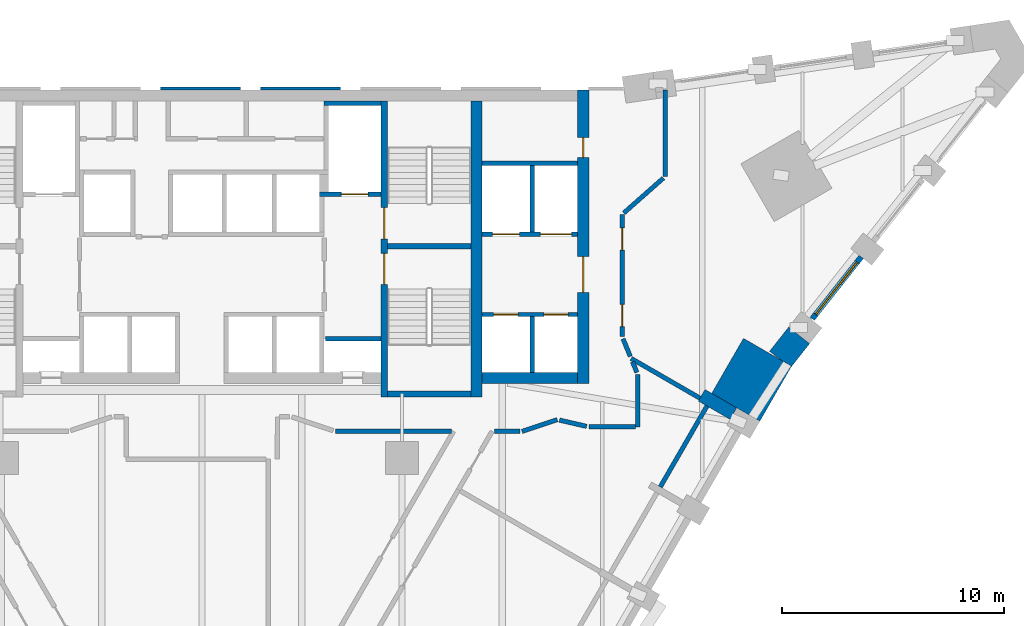
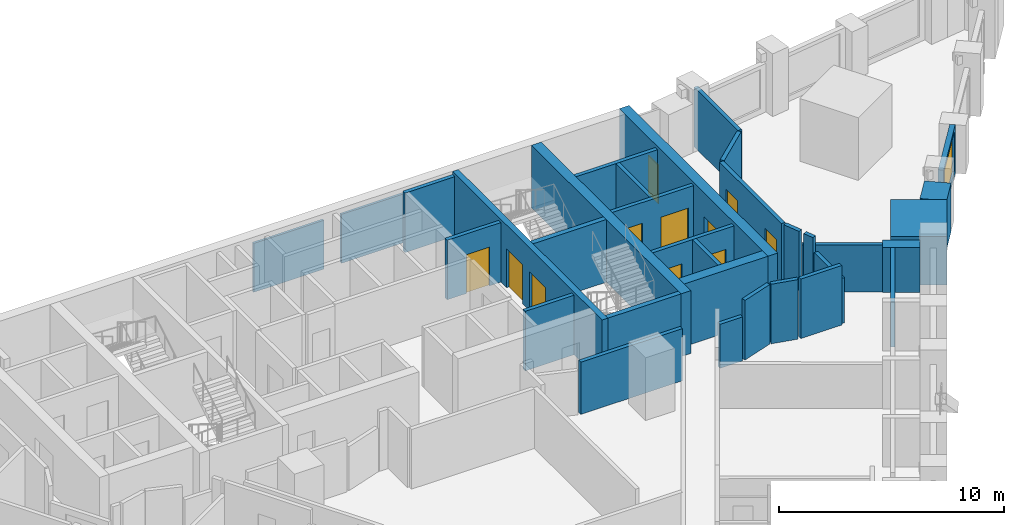
# One storey, part 8 of 11: 33 walls, 11 doors, 1 window, 12 openings.
"""IFC4 building model written with IfcOpenShell, lengths in metres."""

from ifc_helpers import new_model, si_unit, direction, frame, frame_2d, origin, place, context, subcontext, project, spatial, polyline, rectangle, outline, extrude, material, layer, layer_set, type_object, element, fill, save


model = new_model("IFC4")

# Units and contexts
model_context = context("Model", 3, precision=1e-05, world=origin(), true_north=direction((0.0, 1.0)))
body_context = subcontext(model_context, "Body", "Model", "MODEL_VIEW")
ifc_project = project(units=[si_unit("LENGTHUNIT", "METRE"), si_unit("AREAUNIT", "SQUARE_METRE"), si_unit("VOLUMEUNIT", "CUBIC_METRE"), si_unit("PLANEANGLEUNIT", "RADIAN"), si_unit("MASSUNIT", "GRAM", prefix="KILO")], contexts=[model_context])

# Site, building, storey
site_placement = place(None, origin())
site = spatial("IfcSite", under=ifc_project, at=site_placement, CompositionType="ELEMENT")
building_placement = place(site_placement, origin())
building = spatial("IfcBuilding", under=site, at=building_placement, Name="Calabash Gate Tower", CompositionType="ELEMENT")
storey_placement = place(building_placement, frame((0.0, 0.0, 98.60009765625)))
storey = spatial("IfcBuildingStorey", under=building, at=storey_placement, Name="L21", CompositionType="ELEMENT", Elevation=98.60009765625)

# Walls
ifc_material_1 = material(Name="Terracotta brick masonry, exposed face", Category="masonry")
ifc_layer_1 = layer(ifc_material_1, 2.5)
ifc_layer_set_1 = layer_set([ifc_layer_1], Name="Brick corner mass wall 2500")
wall_type_1 = type_object("IfcWallType", Name="Brick corner mass wall 2500", PredefinedType="SOLIDWALL", material=ifc_layer_set_1)
wall_1_placement = place(storey_placement, origin())
element("IfcWall", 1, at=wall_1_placement, inside=storey, type_object=wall_type_1, Name="Brick corner pier S05 2", PredefinedType="SOLIDWALL", context=body_context, shape_type="SweptSolid", body=[
    extrude(outline(polyline([(22.927001953125, 5.405517578125), (25.092041015625, 4.155517578125), (26.51953125, 6.628173828125), (24.3544921875, 7.878173828125), (22.927001953125, 5.405517578125)])), origin(), (0.0, 0.0, 1.0), 2.6298828125),
])
ifc_material_2 = material(Name="Terracotta brick masonry, exposed face", Category="masonry")
ifc_layer_2 = layer(ifc_material_2, 1.199951171875)
ifc_layer_set_2 = layer_set([ifc_layer_2], Name="Brick end wall 1200")
wall_type_2 = type_object("IfcWallType", Name="Brick end wall 1200", PredefinedType="SOLIDWALL", material=ifc_layer_set_2)
wall_2_placement = place(storey_placement, origin())
element("IfcWall", 2, at=wall_2_placement, inside=storey, type_object=wall_type_2, Name="Brick end wall S05 1", PredefinedType="SOLIDWALL", context=body_context, shape_type="SweptSolid", body=[
    extrude(outline(polyline([(26.386474609375, 8.38427734375), (25.529296875, 7.30029296875), (26.0, 6.92822265625), (26.51953125, 6.628173828125), (26.497802734375, 6.59033203125), (27.32763671875, 7.639892578125), (26.386474609375, 8.38427734375)])), origin(), (0.0, 0.0, 1.0), 2.6298828125),
])
ifc_material_3 = material(Name="Terracotta brick masonry, exposed face", Category="masonry")
ifc_layer_3 = layer(ifc_material_3, 0.300048828125)
ifc_layer_set_3 = layer_set([ifc_layer_3], Name="Brick loggia cheek wall 300")
wall_type_3 = type_object("IfcWallType", Name="Brick loggia cheek wall 300", PredefinedType="SOLIDWALL", material=ifc_layer_set_3)
wall_3_placement = place(storey_placement, frame((22.473876953125, 5.32080078125, 0.0), z_axis=(0.0, 0.0, 1.0), x_axis=(0.866040211805, -0.499974350878, 0.0)))
element("IfcWall", 3, at=wall_3_placement, inside=storey, type_object=wall_type_3, Name="Loggia cheek S05 SE2.8", PredefinedType="SOLIDWALL", context=body_context, shape_type="SweptSolid", body=[
    extrude(rectangle(XDim=1.64990234375, YDim=0.60009765625, at=frame_2d((0.824951171875, 0.0))), origin(), (0.0, 0.0, 1.0), 2.449951171875),
])
ifc_material_4 = material(Name="Concrete C80/95", Category="concrete")
ifc_layer_4 = layer(ifc_material_4, 0.25)
ifc_layer_set_4 = layer_set([ifc_layer_4], Name="Core wall 250 Concrete C80/95")
wall_type_4 = type_object("IfcWallType", Name="Core wall 250 Concrete C80/95", PredefinedType="SHEAR", material=ifc_layer_set_4)
for number, where, z_axis, x_axis, name in (
    (4, (8.35009765625, 12.027587890625, 0.0), (0.0, 0.0, 1.0), (1.0, 0.0, 0.0), "Core wall Z2-MIDE L21"),
    (5, (8.35009765625, 5.377685546875, 0.0), (0.0, 0.0, 1.0), (1.0, 0.0, 0.0), "Core wall Z2-SSE L21"),
):
    element("IfcWall", number, at=place(storey_placement, frame(where, z_axis=z_axis, x_axis=x_axis)), inside=storey, type_object=wall_type_4, Name=name, PredefinedType="SHEAR", context=body_context, shape_type="SweptSolid", body=[
        extrude(rectangle(XDim=3.75, YDim=0.25, at=frame_2d((1.875, 0.0))), origin(), (0.0, 0.0, 1.0), 3.39990234375),
    ])

# Wall, openings, doors
ifc_material_5 = material(Name="Concrete C80/95", Category="concrete")
ifc_layer_5 = layer(ifc_material_5, 0.300048828125)
ifc_layer_set_5 = layer_set([ifc_layer_5], Name="Core wall 300 Concrete C80/95")
wall_type_5 = type_object("IfcWallType", Name="Core wall 300 Concrete C80/95", PredefinedType="SHEAR", material=ifc_layer_set_5)
wall_4_placement = place(storey_placement, frame((8.199951171875, 5.252685546875, 0.0), z_axis=(0.0, 0.0, 1.0), x_axis=(0.0, 1.0, 0.0)))
wall_4 = element("IfcWall", 6, at=wall_4_placement, inside=storey, type_object=wall_type_5, Name="Core wall Z2-PARTE L21", PredefinedType="SHEAR", context=body_context, shape_type="SweptSolid", body=[
    extrude(rectangle(XDim=13.2998046875, YDim=0.300048828125, at=frame_2d((6.64990234375, 0.0))), origin(), (0.0, 0.0, 1.0), 3.39990234375),
])
opening_1_placement = place(wall_4_placement, frame((7.10009765625, 0.0, 0.0)))
opening_1 = element("IfcOpeningElement", 7, at=opening_1_placement, cuts=wall_4, Name="Opening H5-016", PredefinedType="OPENING", context=body_context, shape_type="SweptSolid", body=[
    extrude(rectangle(XDim=1.39990234375, YDim=2.10009765625, at=frame_2d((0.699951171875, 1.050048828125))), frame((0.0, 0.159912109375, 0.0), z_axis=(0.0, -1.0, 0.0), x_axis=(1.0, 0.0, 0.0)), (0.0, 0.0, 1.0), 0.320068359375),
])
opening_2_placement = place(wall_4_placement, frame((5.050048828125, 0.0, 0.0)))
opening_2 = element("IfcOpeningElement", 8, at=opening_2_placement, cuts=wall_4, Name="Opening H5-017", PredefinedType="OPENING", context=body_context, shape_type="SweptSolid", body=[
    extrude(rectangle(XDim=1.39990234375, YDim=2.10009765625, at=frame_2d((0.699951171875, 1.050048828125))), frame((0.0, 0.159912109375, 0.0), z_axis=(0.0, -1.0, 0.0), x_axis=(1.0, 0.0, 0.0)), (0.0, 0.0, 1.0), 0.320068359375),
])
ifc_material_6 = material(Name="Steel fire door set with fire-resisting glazing", Category="steel")
door_type_1 = type_object("IfcDoorType", Name="Fire door D05 1400x2100 FD90", OperationType="NOTDEFINED", PredefinedType="DOOR", material=ifc_material_6)
door_1_placement = place(opening_1_placement, origin())
door_1 = element("IfcDoor", 9, at=door_1_placement, inside=storey, type_object=door_type_1, Name="Exit stair door ST3", OperationType="SINGLE_SWING_RIGHT", OverallHeight=2.10009765625, OverallWidth=1.39990234375, PredefinedType="DOOR", context=body_context, shape_type="SweptSolid", body=[
    extrude(rectangle(XDim=1.39990234375, YDim=2.10009765625, at=frame_2d((0.699951171875, 1.050048828125))), frame((0.0, 0.02490234375, 0.0), z_axis=(0.0, -1.0, 0.0), x_axis=(1.0, 0.0, 0.0)), (0.0, 0.0, 1.0), 0.050048828125),
])
fill(opening_1, door_1)
door_2_placement = place(opening_2_placement, origin())
door_2 = element("IfcDoor", 10, at=door_2_placement, inside=storey, type_object=door_type_1, Name="Exit stair door ST4", OperationType="SINGLE_SWING_LEFT", OverallHeight=2.10009765625, OverallWidth=1.39990234375, PredefinedType="DOOR", context=body_context, shape_type="SweptSolid", body=[
    extrude(rectangle(XDim=1.39990234375, YDim=2.10009765625, at=frame_2d((0.699951171875, 1.050048828125))), frame((0.0, 0.02490234375, 0.0), z_axis=(0.0, -1.0, 0.0), x_axis=(1.0, 0.0, 0.0)), (0.0, 0.0, 1.0), 0.050048828125),
])
fill(opening_2, door_2)

# Walls
ifc_material_7 = material(Name="Concrete C80/95", Category="concrete")
ifc_layer_6 = layer(ifc_material_7, 0.5)
ifc_layer_set_6 = layer_set([ifc_layer_6], Name="Core wall 500 Concrete C80/95")
wall_type_6 = type_object("IfcWallType", Name="Core wall 500 Concrete C80/95", PredefinedType="SHEAR", material=ifc_layer_set_6)
wall_5_placement = place(storey_placement, frame((12.35009765625, 5.252685546875, 0.0), z_axis=(0.0, 0.0, 1.0), x_axis=(0.0, 1.0, 0.0)))
element("IfcWall", 11, at=wall_5_placement, inside=storey, type_object=wall_type_6, Name="Core wall Z2-COLE L21", PredefinedType="SHEAR", context=body_context, shape_type="SweptSolid", body=[
    extrude(rectangle(XDim=13.2998046875, YDim=0.5, at=frame_2d((6.64990234375, 0.0))), origin(), (0.0, 0.0, 1.0), 3.39990234375),
])
wall_6_placement = place(storey_placement, frame((12.60009765625, 6.1025390625, 0.0), z_axis=(0.0, 0.0, 1.0), x_axis=(1.0, 0.0, 0.0)))
element("IfcWall", 12, at=wall_6_placement, inside=storey, type_object=wall_type_6, Name="Core wall Z2-SE L21", PredefinedType="SHEAR", context=body_context, shape_type="SweptSolid", body=[
    extrude(rectangle(XDim=4.2998046875, YDim=0.5, at=frame_2d((2.14990234375, 0.0))), origin(), (0.0, 0.0, 1.0), 3.39990234375),
])

# Wall, openings, doors
wall_7_placement = place(storey_placement, frame((17.14990234375, 5.8525390625, 0.0), z_axis=(0.0, 0.0, 1.0), x_axis=(0.0, 1.0, 0.0)))
wall_7 = element("IfcWall", 13, at=wall_7_placement, inside=storey, type_object=wall_type_6, Name="Core wall Z2-ENDE L21", PredefinedType="SHEAR", context=body_context, shape_type="SweptSolid", body=[
    extrude(rectangle(XDim=13.199951171875, YDim=0.5, at=frame_2d((6.60009765625, 0.0))), origin(), (0.0, 0.0, 1.0), 3.39990234375),
])
opening_3_placement = place(wall_7_placement, frame((4.10009765625, 0.0, 0.0)))
opening_3 = element("IfcOpeningElement", 14, at=opening_3_placement, cuts=wall_7, Name="Opening H5-002", PredefinedType="OPENING", context=body_context, shape_type="SweptSolid", body=[
    extrude(rectangle(XDim=1.60009765625, YDim=2.10009765625, at=frame_2d((0.800048828125, 1.050048828125))), frame((0.0, 0.260009765625, 0.0), z_axis=(0.0, -1.0, 0.0), x_axis=(1.0, 0.0, 0.0)), (0.0, 0.0, 1.0), 0.52001953125),
])
opening_4_placement = place(wall_7_placement, frame((10.14990234375, 0.0, 0.0)))
opening_4 = element("IfcOpeningElement", 15, at=opening_4_placement, cuts=wall_7, Name="Opening H5-001", PredefinedType="OPENING", context=body_context, shape_type="SweptSolid", body=[
    extrude(rectangle(XDim=0.89990234375, YDim=2.10009765625, at=frame_2d((0.449951171875, 1.050048828125))), frame((0.0, 0.260009765625, 0.0), z_axis=(0.0, -1.0, 0.0), x_axis=(1.0, 0.0, 0.0)), (0.0, 0.0, 1.0), 0.52001953125),
])
ifc_material_8 = material(Name="Steel fire door set with fire-resisting glazing", Category="steel")
door_type_2 = type_object("IfcDoorType", Name="Double fire door D08 1600x2100 FD60", OperationType="DOUBLE_DOOR_SINGLE_SWING", PredefinedType="DOOR", material=ifc_material_8)
door_3_placement = place(opening_3_placement, origin())
door_3 = element("IfcDoor", 16, at=door_3_placement, inside=storey, type_object=door_type_2, Name="Low-rise Lift Lobby E door", OperationType="DOUBLE_DOOR_SINGLE_SWING", OverallHeight=2.10009765625, OverallWidth=1.60009765625, PredefinedType="DOOR", context=body_context, shape_type="SweptSolid", body=[
    extrude(rectangle(XDim=1.60009765625, YDim=2.10009765625, at=frame_2d((0.800048828125, 1.050048828125))), frame((0.0, 0.02490234375, 0.0), z_axis=(0.0, -1.0, 0.0), x_axis=(1.0, 0.0, 0.0)), (0.0, 0.0, 1.0), 0.050048828125),
])
fill(opening_3, door_3)
ifc_material_9 = material(Name="Steel fire door set with fire-resisting glazing", Category="steel")
door_type_3 = type_object("IfcDoorType", Name="Fire door D06 900x2100 FD60", OperationType="NOTDEFINED", PredefinedType="DOOR", material=ifc_material_9)
door_4_placement = place(opening_4_placement, origin())
door_4 = element("IfcDoor", 17, at=door_4_placement, inside=storey, type_object=door_type_3, Name="Linen Store door", OperationType="SINGLE_SWING_LEFT", OverallHeight=2.10009765625, OverallWidth=0.89990234375, PredefinedType="DOOR", context=body_context, shape_type="SweptSolid", body=[
    extrude(rectangle(XDim=0.89990234375, YDim=2.10009765625, at=frame_2d((0.449951171875, 1.050048828125))), frame((0.0, 0.02490234375, 0.0), z_axis=(0.0, -1.0, 0.0), x_axis=(1.0, 0.0, 0.0)), (0.0, 0.0, 1.0), 0.050048828125),
])
fill(opening_4, door_4)

# Walls
ifc_material_10 = material(Name="Gypsum board on steel studs, mineral wool", Category="steel")
ifc_layer_7 = layer(ifc_material_10, 0.199951171875)
ifc_layer_set_7 = layer_set([ifc_layer_7], Name="Partition 200 gypsum board EI 60")
wall_type_7 = type_object("IfcWallType", Name="Partition 200 gypsum board EI 60", PredefinedType="PARTITIONING", material=ifc_layer_set_7)
wall_8_placement = place(storey_placement, frame((6.0, 3.69970703125, 0.0), z_axis=(0.0, 0.0, 1.0), x_axis=(1.0, 0.0, 0.0)))
element("IfcWall", 18, at=wall_8_placement, inside=storey, type_object=wall_type_7, Name="Partition", PredefinedType="PARTITIONING", context=body_context, shape_type="SweptSolid", body=[
    extrude(rectangle(XDim=5.21875, YDim=0.199951171875, at=frame_2d((2.609375, 0.0))), origin(), (0.0, 0.0, 1.0), 2.83154296875),
])
wall_9_placement = place(storey_placement, frame((13.1513671875, 3.699462890625, 0.0), z_axis=(0.0, 0.0, 1.0), x_axis=(1.0, 0.0, 0.0)))
element("IfcWall", 19, at=wall_9_placement, inside=storey, type_object=wall_type_7, Name="Partition", PredefinedType="PARTITIONING", context=body_context, shape_type="SweptSolid", body=[
    extrude(rectangle(XDim=1.148681640625, YDim=0.199951171875, at=frame_2d((0.57421875, 0.0))), origin(), (0.0, 0.0, 1.0), 2.384033203125),
])
wall_10_placement = place(storey_placement, frame((17.39990234375, 3.8994140625, 0.0), z_axis=(0.0, 0.0, 1.0), x_axis=(0.999999993244, 0.000116238521, 0.0)))
element("IfcWall", 20, at=wall_10_placement, inside=storey, type_object=wall_type_7, Name="Partition", PredefinedType="PARTITIONING", context=body_context, shape_type="SweptSolid", body=[
    extrude(rectangle(XDim=2.100341796875, YDim=0.199951171875, at=frame_2d((1.05029296875, 0.0))), origin(), (0.0, 0.0, 1.0), 3.22998046875),
])
wall_11_placement = place(storey_placement, frame((16.080322265625, 4.20458984375, 0.0), z_axis=(0.0, 0.0, 1.0), x_axis=(0.974315694548, -0.225186428005, 0.0)))
element("IfcWall", 21, at=wall_11_placement, inside=storey, type_object=wall_type_7, Name="Partition", PredefinedType="PARTITIONING", context=body_context, shape_type="SweptSolid", body=[
    extrude(rectangle(XDim=1.25439453125, YDim=0.199951171875, at=frame_2d((0.627197265625, 0.0))), origin(), (0.0, 0.0, 1.0), 3.22998046875),
])
wall_12_placement = place(storey_placement, frame((14.400146484375, 3.699462890625, 0.0), z_axis=(0.0, 0.0, 1.0), x_axis=(0.948683298051, 0.316227766017, 0.0)))
element("IfcWall", 22, at=wall_12_placement, inside=storey, type_object=wall_type_7, Name="Partition", PredefinedType="PARTITIONING", context=body_context, shape_type="SweptSolid", body=[
    extrude(rectangle(XDim=1.66845703125, YDim=0.199951171875, at=frame_2d((0.834228515625, 0.0))), origin(), (0.0, 0.0, 1.0), 3.22998046875),
])
wall_13_placement = place(storey_placement, frame((19.3046875, 6.97509765625, 0.0), z_axis=(0.0, 0.0, 1.0), x_axis=(0.866254994177, -0.499602126761, 0.0)))
element("IfcWall", 23, at=wall_13_placement, inside=storey, type_object=wall_type_7, Name="Partition", PredefinedType="PARTITIONING", context=body_context, shape_type="SweptSolid", body=[
    extrude(rectangle(XDim=3.57177734375, YDim=0.199951171875, at=frame_2d((1.785888671875, 0.0))), origin(), (0.0, 0.0, 1.0), 2.5517578125),
])
wall_14_placement = place(storey_placement, frame((19.600341796875, 3.899658203125, 0.0), z_axis=(0.0, 0.0, 1.0), x_axis=(0.000103755965, 0.999999994617, 0.0)))
element("IfcWall", 24, at=wall_14_placement, inside=storey, type_object=wall_type_7, Name="Partition", PredefinedType="PARTITIONING", context=body_context, shape_type="SweptSolid", body=[
    extrude(rectangle(XDim=2.35302734375, YDim=0.199951171875, at=frame_2d((1.176513671875, 0.0))), origin(), (0.0, 0.0, 1.0), 2.449951171875),
])
wall_15_placement = place(storey_placement, frame((19.366455078125, 6.823974609375, 0.0), z_axis=(0.0, 0.0, 1.0), x_axis=(0.378945204734, -0.925419111435, 0.0)))
element("IfcWall", 25, at=wall_15_placement, inside=storey, type_object=wall_type_7, Name="Partition", PredefinedType="PARTITIONING", context=body_context, shape_type="SweptSolid", body=[
    extrude(rectangle(XDim=0.517333984375, YDim=0.199951171875, at=frame_2d((0.2587890625, 0.0))), origin(), (0.0, 0.0, 1.0), 3.22998046875),
])
wall_16_placement = place(storey_placement, frame((18.938720703125, 7.860107421875, 0.0), z_axis=(0.0, 0.0, 1.0), x_axis=(0.382057312896, -0.924138631193, 0.0)))
element("IfcWall", 26, at=wall_16_placement, inside=storey, type_object=wall_type_7, Name="Partition", PredefinedType="PARTITIONING", context=body_context, shape_type="SweptSolid", body=[
    extrude(rectangle(XDim=0.854248046875, YDim=0.199951171875, at=frame_2d((0.42724609375, 0.0))), origin(), (0.0, 0.0, 1.0), 3.22998046875),
])

# Wall, openings, doors
wall_17_placement = place(storey_placement, frame((18.900390625, 7.95263671875, 0.0), z_axis=(0.0, 0.0, 1.0), x_axis=(0.0, 1.0, 0.0)))
wall_17 = element("IfcWall", 27, at=wall_17_placement, inside=storey, type_object=wall_type_7, Name="Partition", PredefinedType="PARTITIONING", context=body_context, shape_type="SweptSolid", body=[
    extrude(rectangle(XDim=5.499755859375, YDim=0.199951171875, at=frame_2d((2.75, 0.0))), origin(), (0.0, 0.0, 1.0), 3.22998046875),
])
opening_5_placement = place(wall_17_placement, frame((3.8994140625, 0.0, 0.0)))
opening_5 = element("IfcOpeningElement", 28, at=opening_5_placement, cuts=wall_17, Name="Opening 19-21-022", PredefinedType="OPENING", context=body_context, shape_type="SweptSolid", body=[
    extrude(rectangle(XDim=1.0, YDim=2.10009765625, at=frame_2d((0.5, 1.050048828125))), frame((0.0, 0.10986328125, 0.0), z_axis=(0.0, -1.0, 0.0), x_axis=(1.0, 0.0, 0.0)), (0.0, 0.0, 1.0), 0.219970703125),
])
opening_6_placement = place(wall_17_placement, frame((0.4501953125, 0.0, 0.0)))
opening_6 = element("IfcOpeningElement", 29, at=opening_6_placement, cuts=wall_17, Name="Opening 19-21-023", PredefinedType="OPENING", context=body_context, shape_type="SweptSolid", body=[
    extrude(rectangle(XDim=1.0, YDim=2.10009765625, at=frame_2d((0.5, 1.050048828125))), frame((0.0, 0.10986328125, 0.0), z_axis=(0.0, -1.0, 0.0), x_axis=(1.0, 0.0, 0.0)), (0.0, 0.0, 1.0), 0.219970703125),
])
ifc_material_11 = material(Name="Steel fire door set with fire-resisting glazing", Category="steel")
door_type_4 = type_object("IfcDoorType", Name="LD2 Meeting room door 1000x2100", OperationType="NOTDEFINED", PredefinedType="DOOR", material=ifc_material_11)
door_5_placement = place(opening_5_placement, origin())
door_5 = element("IfcDoor", 30, at=door_5_placement, inside=storey, type_object=door_type_4, Name="Meeting room door", OperationType="SINGLE_SWING_RIGHT", OverallHeight=2.10009765625, OverallWidth=1.0, PredefinedType="DOOR", context=body_context, shape_type="SweptSolid", body=[
    extrude(rectangle(XDim=1.0, YDim=2.10009765625, at=frame_2d((0.5, 1.050048828125))), frame((0.0, 0.02490234375, 0.0), z_axis=(0.0, -1.0, 0.0), x_axis=(1.0, 0.0, 0.0)), (0.0, 0.0, 1.0), 0.050048828125),
])
fill(opening_5, door_5)
door_6_placement = place(opening_6_placement, origin())
door_6 = element("IfcDoor", 31, at=door_6_placement, inside=storey, type_object=door_type_4, Name="Meeting room door", OperationType="SINGLE_SWING_LEFT", OverallHeight=2.10009765625, OverallWidth=1.0, PredefinedType="DOOR", context=body_context, shape_type="SweptSolid", body=[
    extrude(rectangle(XDim=1.0, YDim=2.10009765625, at=frame_2d((0.5, 1.050048828125))), frame((0.0, 0.02490234375, 0.0), z_axis=(0.0, -1.0, 0.0), x_axis=(1.0, 0.0, 0.0)), (0.0, 0.0, 1.0), 0.050048828125),
])
fill(opening_6, door_6)

# Walls
wall_18_placement = place(storey_placement, frame((18.9755859375, 13.5185546875, 0.0), z_axis=(0.0, 0.0, 1.0), x_axis=(0.749825828818, 0.661635266924, 0.0)))
element("IfcWall", 32, at=wall_18_placement, inside=storey, type_object=wall_type_7, Name="Partition", PredefinedType="PARTITIONING", context=body_context, shape_type="SweptSolid", body=[
    extrude(rectangle(XDim=2.36962890625, YDim=0.199951171875, at=frame_2d((1.184814453125, 0.0))), origin(), (0.0, 0.0, 1.0), 3.22998046875),
])
wall_19_placement = place(storey_placement, frame((20.827392578125, 19.052734375, 0.0), z_axis=(0.0, 0.0, 1.0), x_axis=(0.0, -1.0, 0.0)))
element("IfcWall", 33, at=wall_19_placement, inside=storey, type_object=wall_type_7, Name="Partition", PredefinedType="PARTITIONING", context=body_context, shape_type="SweptSolid", body=[
    extrude(rectangle(XDim=3.900146484375, YDim=0.199951171875, at=frame_2d((1.9501953125, 0.0))), origin(), (0.0, 0.0, 1.0), 3.22998046875),
])

# Wall, opening, window
ifc_material_12 = material(Name="Aluminium framed window wall with insulated spandrel", Category="aluminium")
ifc_layer_8 = layer(ifc_material_12, 0.25)
ifc_layer_set_8 = layer_set([ifc_layer_8], Name="Prow window wall 250")
wall_type_8 = type_object("IfcWallType", Name="Prow window wall 250", PredefinedType="ELEMENTEDWALL", material=ifc_layer_set_8)
wall_20_placement = place(storey_placement, frame((27.446533203125, 8.757080078125, 0.0), z_axis=(0.0, 0.0, 1.0), x_axis=(0.620259189042, 0.784396926568, 0.0)))
wall_20 = element("IfcWall", 34, at=wall_20_placement, inside=storey, type_object=wall_type_8, Name="Prow window wall S05 wedge3.1", PredefinedType="ELEMENTEDWALL", context=body_context, shape_type="SweptSolid", body=[
    extrude(rectangle(XDim=3.552001953125, YDim=0.25, at=frame_2d((1.77587890625, 0.0))), origin(), (0.0, 0.0, 1.0), 2.6298828125),
])
opening_7_placement = place(wall_20_placement, frame((0.25, 0.0, 0.300048828125)))
opening_7 = element("IfcOpeningElement", 35, at=opening_7_placement, cuts=wall_20, Name="Opening WP1L-2130", PredefinedType="OPENING", context=body_context, shape_type="SweptSolid", body=[
    extrude(rectangle(XDim=3.0, YDim=2.1298828125, at=frame_2d((1.5, 1.06494140625))), frame((0.0, 0.135009765625, 0.0), z_axis=(0.0, -1.0, 0.0), x_axis=(1.0, 0.0, 0.0)), (0.0, 0.0, 1.0), 0.27001953125),
])
ifc_material_13 = material(Name="Anodised aluminium frame, bronze finish, impact-rated laminated clear glazing", Category="aluminium")
window_type = type_object("IfcWindowType", Name="Window WP1L 3000x2130", PartitioningType="DOUBLE_PANEL_VERTICAL", PredefinedType="WINDOW", material=ifc_material_13)
window_placement = place(opening_7_placement, origin())
window = element("IfcWindow", 36, at=window_placement, inside=storey, type_object=window_type, Name="Prow window WP1L S05 wedge3.1", OverallHeight=2.1298828125, OverallWidth=3.0, PartitioningType="SINGLE_PANEL", PredefinedType="WINDOW", context=body_context, shape_type="SweptSolid", body=[
    extrude(rectangle(XDim=3.0, YDim=2.1298828125, at=frame_2d((1.5, 1.06494140625))), frame((0.0, 0.030029296875, 0.0), z_axis=(0.0, -1.0, 0.0), x_axis=(1.0, 0.0, 0.0)), (0.0, 0.0, 1.0), 0.06005859375),
])
fill(opening_7, window)

# Walls
ifc_material_14 = material(Name="Concrete C40/50", Category="concrete")
ifc_layer_9 = layer(ifc_material_14, 0.199951171875)
ifc_layer_set_9 = layer_set([ifc_layer_9], Name="Shaft wall 200 Concrete C40/50")
wall_type_9 = type_object("IfcWallType", Name="Shaft wall 200 Concrete C40/50", PredefinedType="SOLIDWALL", material=ifc_layer_set_9)
for number, where, z_axis, x_axis, name in (
    (37, (14.85009765625, 6.3525390625, 0.0), (0.0, 0.0, 1.0), (0.0, 1.0, 0.0), "Shaft wall"),
    (38, (5.550048828125, 7.8525390625, 0.0), (0.0, 0.0, 1.0), (1.0, 0.0, 0.0), "Shaft wall"),
):
    element("IfcWall", number, at=place(storey_placement, frame(where, z_axis=z_axis, x_axis=x_axis)), inside=storey, type_object=wall_type_9, Name=name, PredefinedType="SOLIDWALL", context=body_context, shape_type="SweptSolid", body=[
        extrude(rectangle(XDim=2.5, YDim=0.199951171875, at=frame_2d((1.25, 0.0))), origin(), (0.0, 0.0, 1.0), 3.22998046875),
    ])

# Wall, openings, doors
wall_21_placement = place(storey_placement, frame((12.60009765625, 8.95263671875, 0.0), z_axis=(0.0, 0.0, 1.0), x_axis=(1.0, 0.0, 0.0)))
wall_21 = element("IfcWall", 39, at=wall_21_placement, inside=storey, type_object=wall_type_9, Name="Shaft wall", PredefinedType="SOLIDWALL", context=body_context, shape_type="SweptSolid", body=[
    extrude(rectangle(XDim=4.2998046875, YDim=0.199951171875, at=frame_2d((2.14990234375, 0.0))), origin(), (0.0, 0.0, 1.0), 3.22998046875),
])
opening_8_placement = place(wall_21_placement, frame((0.52490234375, 0.0, 0.0)))
opening_8 = element("IfcOpeningElement", 40, at=opening_8_placement, cuts=wall_21, Name="Opening LD-LR5", PredefinedType="OPENING", context=body_context, shape_type="SweptSolid", body=[
    extrude(rectangle(XDim=1.10009765625, YDim=2.10009765625, at=frame_2d((0.550048828125, 1.050048828125))), frame((0.0, 0.10986328125, 0.0), z_axis=(0.0, -1.0, 0.0), x_axis=(1.0, 0.0, 0.0)), (0.0, 0.0, 1.0), 0.219970703125),
])
opening_9_placement = place(wall_21_placement, frame((2.77490234375, 0.0, 0.0)))
opening_9 = element("IfcOpeningElement", 41, at=opening_9_placement, cuts=wall_21, Name="Opening LD-LR6", PredefinedType="OPENING", context=body_context, shape_type="SweptSolid", body=[
    extrude(rectangle(XDim=1.10009765625, YDim=2.10009765625, at=frame_2d((0.550048828125, 1.050048828125))), frame((0.0, 0.10986328125, 0.0), z_axis=(0.0, -1.0, 0.0), x_axis=(1.0, 0.0, 0.0)), (0.0, 0.0, 1.0), 0.219970703125),
])
ifc_material_15 = material(Name="Stainless steel sliding door leaves", Category="steel")
door_type_5 = type_object("IfcDoorType", Name="Lift landing door LS1 1100x2100 FD90", OperationType="DOUBLE_DOOR_SLIDING", PredefinedType="DOOR", material=ifc_material_15)
door_7_placement = place(opening_8_placement, origin())
door_7 = element("IfcDoor", 42, at=door_7_placement, inside=storey, type_object=door_type_5, Name="Lift landing door LR5", OperationType="DOUBLE_DOOR_SLIDING", OverallHeight=2.10009765625, OverallWidth=1.10009765625, PredefinedType="DOOR", context=body_context, shape_type="SweptSolid", body=[
    extrude(rectangle(XDim=1.10009765625, YDim=2.10009765625, at=frame_2d((0.550048828125, 1.050048828125))), frame((0.0, 0.02490234375, 0.0), z_axis=(0.0, -1.0, 0.0), x_axis=(1.0, 0.0, 0.0)), (0.0, 0.0, 1.0), 0.050048828125),
])
fill(opening_8, door_7)
door_8_placement = place(opening_9_placement, origin())
door_8 = element("IfcDoor", 43, at=door_8_placement, inside=storey, type_object=door_type_5, Name="Lift landing door LR6", OperationType="DOUBLE_DOOR_SLIDING", OverallHeight=2.10009765625, OverallWidth=1.10009765625, PredefinedType="DOOR", context=body_context, shape_type="SweptSolid", body=[
    extrude(rectangle(XDim=1.10009765625, YDim=2.10009765625, at=frame_2d((0.550048828125, 1.050048828125))), frame((0.0, 0.02490234375, 0.0), z_axis=(0.0, -1.0, 0.0), x_axis=(1.0, 0.0, 0.0)), (0.0, 0.0, 1.0), 0.050048828125),
])
fill(opening_9, door_8)

wall_22_placement = place(storey_placement, frame((12.60009765625, 12.552490234375, 0.0), z_axis=(0.0, 0.0, 1.0), x_axis=(1.0, 0.0, 0.0)))
wall_22 = element("IfcWall", 44, at=wall_22_placement, inside=storey, type_object=wall_type_9, Name="Shaft wall", PredefinedType="SOLIDWALL", context=body_context, shape_type="SweptSolid", body=[
    extrude(rectangle(XDim=4.2998046875, YDim=0.199951171875, at=frame_2d((2.14990234375, 0.0))), origin(), (0.0, 0.0, 1.0), 3.22998046875),
])
opening_10_placement = place(wall_22_placement, frame((0.47509765625, 0.0, 0.0)))
opening_10 = element("IfcOpeningElement", 45, at=opening_10_placement, cuts=wall_22, Name="Opening LD-SL1", PredefinedType="OPENING", context=body_context, shape_type="SweptSolid", body=[
    extrude(rectangle(XDim=1.199951171875, YDim=2.10009765625, at=frame_2d((0.60009765625, 1.050048828125))), frame((0.0, 0.10986328125, 0.0), z_axis=(0.0, -1.0, 0.0), x_axis=(1.0, 0.0, 0.0)), (0.0, 0.0, 1.0), 0.219970703125),
])
opening_11_placement = place(wall_22_placement, frame((2.625, 0.0, 0.0)))
opening_11 = element("IfcOpeningElement", 46, at=opening_11_placement, cuts=wall_22, Name="Opening LD-GL1", PredefinedType="OPENING", context=body_context, shape_type="SweptSolid", body=[
    extrude(rectangle(XDim=1.39990234375, YDim=2.10009765625, at=frame_2d((0.699951171875, 1.050048828125))), frame((0.0, 0.10986328125, 0.0), z_axis=(0.0, -1.0, 0.0), x_axis=(1.0, 0.0, 0.0)), (0.0, 0.0, 1.0), 0.219970703125),
])
ifc_material_16 = material(Name="Stainless steel sliding door leaves", Category="steel")
door_type_6 = type_object("IfcDoorType", Name="Lift landing door LS3 1200x2100 FD90", OperationType="DOUBLE_DOOR_SLIDING", PredefinedType="DOOR", material=ifc_material_16)
door_9_placement = place(opening_10_placement, origin())
door_9 = element("IfcDoor", 47, at=door_9_placement, inside=storey, type_object=door_type_6, Name="Lift landing door SL1", OperationType="DOUBLE_DOOR_SLIDING", OverallHeight=2.10009765625, OverallWidth=1.199951171875, PredefinedType="DOOR", context=body_context, shape_type="SweptSolid", body=[
    extrude(rectangle(XDim=1.199951171875, YDim=2.10009765625, at=frame_2d((0.60009765625, 1.050048828125))), frame((0.0, 0.02490234375, 0.0), z_axis=(0.0, -1.0, 0.0), x_axis=(1.0, 0.0, 0.0)), (0.0, 0.0, 1.0), 0.050048828125),
])
fill(opening_10, door_9)
ifc_material_17 = material(Name="Stainless steel sliding door leaves", Category="steel")
door_type_7 = type_object("IfcDoorType", Name="Lift landing door LS4 1400x2100 FD90", OperationType="DOUBLE_DOOR_SLIDING", PredefinedType="DOOR", material=ifc_material_17)
door_10_placement = place(opening_11_placement, origin())
door_10 = element("IfcDoor", 48, at=door_10_placement, inside=storey, type_object=door_type_7, Name="Lift landing door GL1", OperationType="DOUBLE_DOOR_SLIDING", OverallHeight=2.10009765625, OverallWidth=1.39990234375, PredefinedType="DOOR", context=body_context, shape_type="SweptSolid", body=[
    extrude(rectangle(XDim=1.39990234375, YDim=2.10009765625, at=frame_2d((0.699951171875, 1.050048828125))), frame((0.0, 0.02490234375, 0.0), z_axis=(0.0, -1.0, 0.0), x_axis=(1.0, 0.0, 0.0)), (0.0, 0.0, 1.0), 0.050048828125),
])
fill(opening_11, door_10)

# Wall
wall_23_placement = place(storey_placement, frame((14.85009765625, 12.652587890625, 0.0), z_axis=(0.0, 0.0, 1.0), x_axis=(0.0, 1.0, 0.0)))
element("IfcWall", 49, at=wall_23_placement, inside=storey, type_object=wall_type_9, Name="Shaft wall", PredefinedType="SOLIDWALL", context=body_context, shape_type="SweptSolid", body=[
    extrude(rectangle(XDim=3.0, YDim=0.199951171875, at=frame_2d((1.5, 0.0))), origin(), (0.0, 0.0, 1.0), 3.22998046875),
])

# Wall, opening, door
wall_24_placement = place(storey_placement, frame((5.300048828125, 14.3525390625, 0.0), z_axis=(0.0, 0.0, 1.0), x_axis=(1.0, 0.0, 0.0)))
wall_24 = element("IfcWall", 50, at=wall_24_placement, inside=storey, type_object=wall_type_9, Name="Shaft wall", PredefinedType="SOLIDWALL", context=body_context, shape_type="SweptSolid", body=[
    extrude(rectangle(XDim=2.75, YDim=0.199951171875, at=frame_2d((1.375, 0.0))), origin(), (0.0, 0.0, 1.0), 3.22998046875),
])
opening_12_placement = place(wall_24_placement, frame((0.97509765625, 0.0, 0.0)))
opening_12 = element("IfcOpeningElement", 51, at=opening_12_placement, cuts=wall_24, Name="Opening LD-FF2", PredefinedType="OPENING", context=body_context, shape_type="SweptSolid", body=[
    extrude(rectangle(XDim=1.199951171875, YDim=2.10009765625, at=frame_2d((0.60009765625, 1.050048828125))), frame((0.0, 0.10986328125, 0.0), z_axis=(0.0, -1.0, 0.0), x_axis=(1.0, 0.0, 0.0)), (0.0, 0.0, 1.0), 0.219970703125),
])
door_11_placement = place(opening_12_placement, origin())
door_11 = element("IfcDoor", 52, at=door_11_placement, inside=storey, type_object=door_type_6, Name="Lift landing door FF2", OperationType="DOUBLE_DOOR_SLIDING", OverallHeight=2.10009765625, OverallWidth=1.199951171875, PredefinedType="DOOR", context=body_context, shape_type="SweptSolid", body=[
    extrude(rectangle(XDim=1.199951171875, YDim=2.10009765625, at=frame_2d((0.60009765625, 1.050048828125))), frame((0.0, 0.02490234375, 0.0), z_axis=(0.0, -1.0, 0.0), x_axis=(1.0, 0.0, 0.0)), (0.0, 0.0, 1.0), 0.050048828125),
])
fill(opening_12, door_11)

# Walls
wall_25_placement = place(storey_placement, frame((12.60009765625, 15.752685546875, 0.0), z_axis=(0.0, 0.0, 1.0), x_axis=(1.0, 0.0, 0.0)))
element("IfcWall", 53, at=wall_25_placement, inside=storey, type_object=wall_type_9, Name="Shaft wall", PredefinedType="SOLIDWALL", context=body_context, shape_type="SweptSolid", body=[
    extrude(rectangle(XDim=4.2998046875, YDim=0.199951171875, at=frame_2d((2.14990234375, 0.0))), origin(), (0.0, 0.0, 1.0), 3.22998046875),
])
wall_26_placement = place(storey_placement, frame((5.5, 18.45263671875, 0.0), z_axis=(0.0, 0.0, 1.0), x_axis=(1.0, 0.0, 0.0)))
element("IfcWall", 54, at=wall_26_placement, inside=storey, type_object=wall_type_9, Name="Shaft wall", PredefinedType="SOLIDWALL", context=body_context, shape_type="SweptSolid", body=[
    extrude(rectangle(XDim=2.550048828125, YDim=0.199951171875, at=frame_2d((1.27490234375, 0.0))), origin(), (0.0, 0.0, 1.0), 3.22998046875),
])
ifc_material_18 = material(Name="Terracotta brick masonry, perforated", Category="masonry")
ifc_layer_10 = layer(ifc_material_18, 0.1201171875)
ifc_layer_set_10 = layer_set([ifc_layer_10], Name="Terracotta jaali cladding A 120")
wall_type_10 = type_object("IfcWallType", Name="Terracotta jaali cladding A 120", PredefinedType="SOLIDWALL", material=ifc_layer_set_10)
wall_27_placement = place(storey_placement, origin())
element("IfcWall", 55, at=wall_27_placement, inside=storey, type_object=wall_type_10, Name="Jaali cladding S05 N6.3", PredefinedType="SOLIDWALL", context=body_context, shape_type="SweptSolid", body=[
    extrude(outline(polyline([(2.64501953125, 19.172607421875), (2.64501953125, 19.052490234375), (6.244873046875, 19.052490234375), (6.244873046875, 19.172607421875), (2.64501953125, 19.172607421875)])), origin(), (0.0, 0.0, 1.0), 2.64990234375),
])
ifc_material_19 = material(Name="Terracotta louvre blades in an aluminium frame", Category="masonry")
ifc_layer_11 = layer(ifc_material_19, 0.1201171875)
ifc_layer_set_11 = layer_set([ifc_layer_11], Name="Terracotta vent louvre cladding 120")
wall_type_11 = type_object("IfcWallType", Name="Terracotta vent louvre cladding 120", PredefinedType="ELEMENTEDWALL", material=ifc_layer_set_11)
wall_28_placement = place(storey_placement, origin())
element("IfcWall", 56, at=wall_28_placement, inside=storey, type_object=wall_type_11, Name="Vent louvre cladding S05 N6.4", PredefinedType="ELEMENTEDWALL", context=body_context, shape_type="SweptSolid", body=[
    extrude(outline(polyline([(-1.85498046875, 19.172607421875), (-1.85498046875, 19.052490234375), (1.744873046875, 19.052490234375), (1.744873046875, 19.172607421875), (-1.85498046875, 19.172607421875)])), origin(), (0.0, 0.0, 1.0), 2.64990234375),
])
ifc_material_20 = material(Name="Aluminium framed window wall with insulated spandrel", Category="aluminium")
ifc_layer_12 = layer(ifc_material_20, 0.199951171875)
ifc_layer_set_12 = layer_set([ifc_layer_12], Name="Window wall 200")
wall_type_12 = type_object("IfcWallType", Name="Window wall 200", PredefinedType="ELEMENTEDWALL", material=ifc_layer_set_12)
wall_29_placement = place(storey_placement, frame((20.613525390625, 1.19873046875, 0.0), z_axis=(0.0, 0.0, 1.0), x_axis=(0.500027713859, 0.866009402589, 0.0)))
element("IfcWall", 57, at=wall_29_placement, inside=storey, type_object=wall_type_12, Name="Window wall S05 SE2.8", PredefinedType="ELEMENTEDWALL", context=body_context, shape_type="SweptSolid", body=[
    extrude(rectangle(XDim=4.199951171875, YDim=0.199951171875, at=frame_2d((2.10009765625, 0.0))), origin(), (0.0, 0.0, 1.0), 2.449951171875),
])

save(model, "model.ifc")
